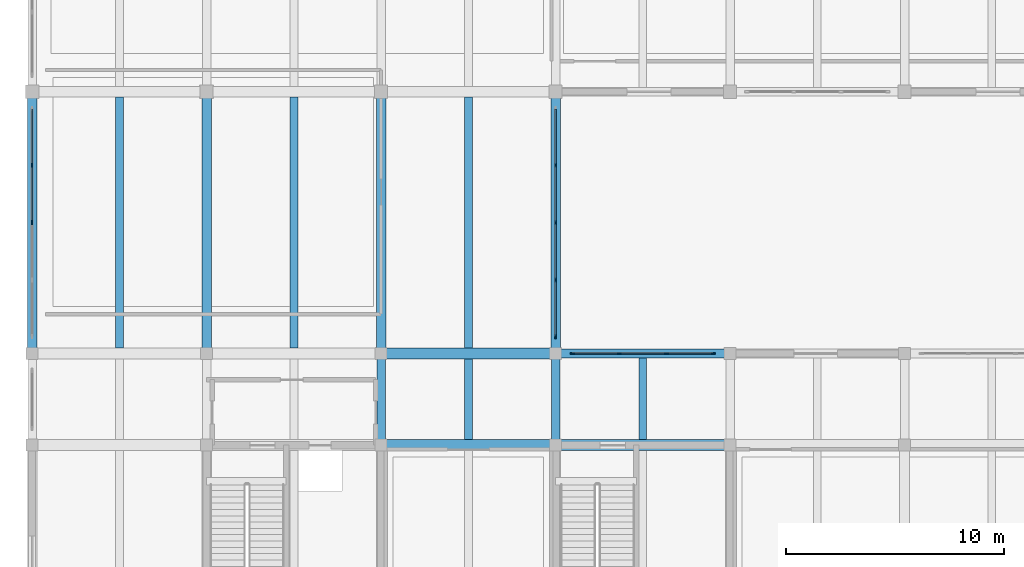
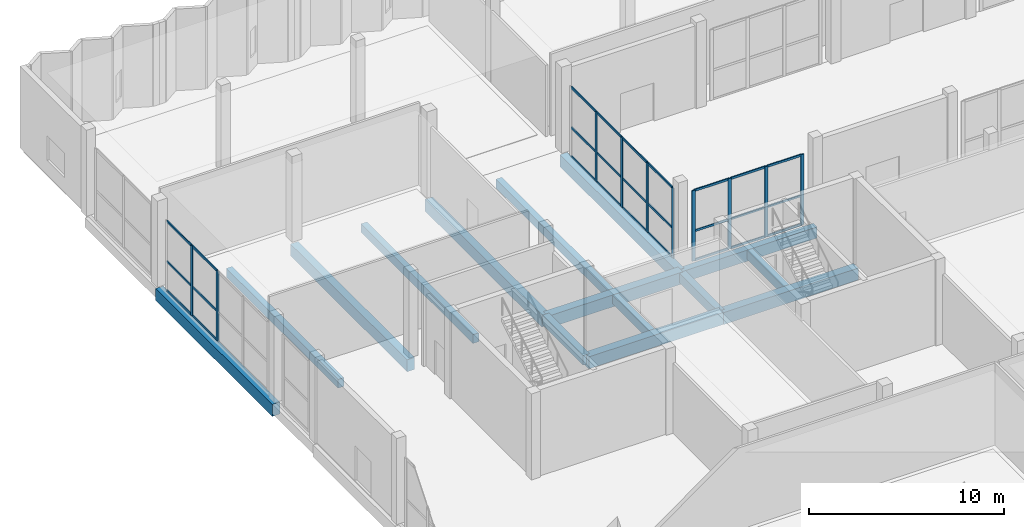
# One storey, part 10 of 41: 37 members, 15 beams, 3 elements without a shape of their own.
"""IFC4 building model written with IfcOpenShell, lengths in metres."""

from ifc_helpers import new_model, si_unit, direction, frame, origin, origin_2d, place, context, subcontext, project, spatial, rectangle, extrude, material, material_profile, profile_set, type_object, element, aggregate, save


model = new_model("IFC4")

# Units and contexts
model_context = context("Model", 3, precision=1e-05, world=origin(), true_north=direction((0.0, 1.0)))
body_context = subcontext(model_context, "Body", "Model", "MODEL_VIEW")
ifc_project = project(units=[si_unit("LENGTHUNIT", "METRE"), si_unit("AREAUNIT", "SQUARE_METRE"), si_unit("VOLUMEUNIT", "CUBIC_METRE"), si_unit("PLANEANGLEUNIT", "RADIAN"), si_unit("MASSUNIT", "GRAM", prefix="KILO")], contexts=[model_context])

# Site, building, storey
site_placement = place(None, origin())
site = spatial("IfcSite", under=ifc_project, at=site_placement, CompositionType="ELEMENT")
building_placement = place(site_placement, origin())
building = spatial("IfcBuilding", under=site, at=building_placement, Name="Vharandega Faculty of Natural Sciences", CompositionType="ELEMENT")
storey_placement = place(building_placement, origin())
storey = spatial("IfcBuildingStorey", under=building, at=storey_placement, Name="L00", CompositionType="ELEMENT", Elevation=0.0)

# Curtain wall, members
ifc_material_1 = material(Name="Aluminium and solar-control glass curtain wall", Category="aluminium")
curtain_wall_type_1 = type_object("IfcCurtainWallType", Name="Unitised Curtain Wall System CW-08", PredefinedType="NOTDEFINED", material=ifc_material_1)
curtain_wall_1_placement = place(storey_placement, origin())
curtain_wall_1 = element("IfcCurtainWall", 1, at=curtain_wall_1_placement, inside=storey, type_object=curtain_wall_type_1, Name="Curtain Wall CW-L00-035", PredefinedType="NOTDEFINED")
ifc_material_2 = material(Name="Thermally broken aluminium 6063-T6", Category="aluminium")
ifc_material_profile_1 = material_profile(ifc_material_2, rectangle(XDim=0.070068359375, YDim=0.199951171875, at=origin_2d()), Name="ALU 70x200")
ifc_profile_set_1 = profile_set([ifc_material_profile_1], Name="Thermally broken aluminium 6063-T6")
member_type_1 = type_object("IfcMemberType", Name="CW Mullion 70x200", PredefinedType="MULLION", material=ifc_profile_set_1)
member_1_placement = place(storey_placement, frame((0.0, 91.0, 0.0), z_axis=(0.0, 0.0, 1.0), x_axis=(-1.0, 0.0, 0.0)))
member_1 = element("IfcMember", 2, at=member_1_placement, type_object=member_type_1, Name="CW-08 mullion 3", PredefinedType="MULLION", context=body_context, shape_type="SweptSolid", body=[
    extrude(rectangle(XDim=0.070068359375, YDim=0.199951171875, at=origin_2d()), origin(), (0.0, 0.0, 1.0), 4.389892578125),
])
member_2_placement = place(storey_placement, frame((0.0, 93.6298828125, 0.0), z_axis=(0.0, 0.0, 1.0), x_axis=(-1.0, 0.0, 0.0)))
member_2 = element("IfcMember", 3, at=member_2_placement, type_object=member_type_1, Name="CW-08 mullion 4", PredefinedType="MULLION", context=body_context, shape_type="SweptSolid", body=[
    extrude(rectangle(XDim=0.070068359375, YDim=0.199951171875, at=origin_2d()), origin(), (0.0, 0.0, 1.0), 4.389892578125),
])

ifc_material_3 = material(Name="Aluminium and solar-control glass curtain wall", Category="aluminium")
curtain_wall_type_2 = type_object("IfcCurtainWallType", Name="Unitised Curtain Wall System CW-13", PredefinedType="NOTDEFINED", material=ifc_material_3)
curtain_wall_2_placement = place(storey_placement, origin())
curtain_wall_2 = element("IfcCurtainWall", 4, at=curtain_wall_2_placement, inside=storey, type_object=curtain_wall_type_2, Name="Curtain Wall CW-L00-040", PredefinedType="NOTDEFINED")
member_3_placement = place(storey_placement, frame((24.0, 85.77490234375, 0.0), z_axis=(0.0, 0.0, 1.0), x_axis=(-1.0, 0.0, 0.0)))
member_3 = element("IfcMember", 5, at=member_3_placement, type_object=member_type_1, Name="CW-13 mullion 1", PredefinedType="MULLION", context=body_context, shape_type="SweptSolid", body=[
    extrude(rectangle(XDim=0.070068359375, YDim=0.199951171875, at=origin_2d()), origin(), (0.0, 0.0, 1.0), 4.389892578125),
])
member_4_placement = place(storey_placement, frame((24.0, 88.3701171875, 0.0), z_axis=(0.0, 0.0, 1.0), x_axis=(-1.0, 0.0, 0.0)))
member_4 = element("IfcMember", 6, at=member_4_placement, type_object=member_type_1, Name="CW-13 mullion 2", PredefinedType="MULLION", context=body_context, shape_type="SweptSolid", body=[
    extrude(rectangle(XDim=0.070068359375, YDim=0.199951171875, at=origin_2d()), origin(), (0.0, 0.0, 1.0), 4.389892578125),
])
member_5_placement = place(storey_placement, frame((24.0, 91.0, 0.0), z_axis=(0.0, 0.0, 1.0), x_axis=(-1.0, 0.0, 0.0)))
member_5 = element("IfcMember", 7, at=member_5_placement, type_object=member_type_1, Name="CW-13 mullion 3", PredefinedType="MULLION", context=body_context, shape_type="SweptSolid", body=[
    extrude(rectangle(XDim=0.070068359375, YDim=0.199951171875, at=origin_2d()), origin(), (0.0, 0.0, 1.0), 4.389892578125),
])
member_6_placement = place(storey_placement, frame((24.0, 93.6298828125, 0.0), z_axis=(0.0, 0.0, 1.0), x_axis=(-1.0, 0.0, 0.0)))
member_6 = element("IfcMember", 8, at=member_6_placement, type_object=member_type_1, Name="CW-13 mullion 4", PredefinedType="MULLION", context=body_context, shape_type="SweptSolid", body=[
    extrude(rectangle(XDim=0.070068359375, YDim=0.199951171875, at=origin_2d()), origin(), (0.0, 0.0, 1.0), 4.389892578125),
])

ifc_material_4 = material(Name="Aluminium and solar-control glass curtain wall", Category="aluminium")
curtain_wall_type_3 = type_object("IfcCurtainWallType", Name="Unitised Curtain Wall System CW-20", PredefinedType="NOTDEFINED", material=ifc_material_4)
curtain_wall_3_placement = place(storey_placement, origin())
curtain_wall_3 = element("IfcCurtainWall", 9, at=curtain_wall_3_placement, inside=storey, type_object=curtain_wall_type_3, Name="Curtain Wall CW-L00-075", PredefinedType="NOTDEFINED")
member_7_placement = place(storey_placement, frame((24.77490234375, 85.0, 0.0), z_axis=(0.0, 0.0, 1.0), x_axis=(0.0, 1.0, 0.0)))
member_7 = element("IfcMember", 10, at=member_7_placement, type_object=member_type_1, Name="CW-20 mullion 1", PredefinedType="MULLION", context=body_context, shape_type="SweptSolid", body=[
    extrude(rectangle(XDim=0.070068359375, YDim=0.199951171875, at=origin_2d()), origin(), (0.0, 0.0, 1.0), 4.419921875),
])
member_8_placement = place(storey_placement, frame((26.913330078125, 85.0, 0.0), z_axis=(0.0, 0.0, 1.0), x_axis=(0.0, 1.0, 0.0)))
member_8 = element("IfcMember", 11, at=member_8_placement, type_object=member_type_1, Name="CW-20 mullion 2", PredefinedType="MULLION", context=body_context, shape_type="SweptSolid", body=[
    extrude(rectangle(XDim=0.070068359375, YDim=0.199951171875, at=origin_2d()), origin(), (0.0, 0.0, 1.0), 4.419921875),
])
member_9_placement = place(storey_placement, frame((29.086669921875, 85.0, 0.0), z_axis=(0.0, 0.0, 1.0), x_axis=(0.0, 1.0, 0.0)))
member_9 = element("IfcMember", 12, at=member_9_placement, type_object=member_type_1, Name="CW-20 mullion 3", PredefinedType="MULLION", context=body_context, shape_type="SweptSolid", body=[
    extrude(rectangle(XDim=0.070068359375, YDim=0.199951171875, at=origin_2d()), origin(), (0.0, 0.0, 1.0), 4.419921875),
])
member_10_placement = place(storey_placement, frame((31.22509765625, 85.0, 0.0), z_axis=(0.0, 0.0, 1.0), x_axis=(0.0, 1.0, 0.0)))
member_10 = element("IfcMember", 13, at=member_10_placement, type_object=member_type_1, Name="CW-20 mullion 4", PredefinedType="MULLION", context=body_context, shape_type="SweptSolid", body=[
    extrude(rectangle(XDim=0.070068359375, YDim=0.199951171875, at=origin_2d()), origin(), (0.0, 0.0, 1.0), 4.419921875),
])

# Member
ifc_material_5 = material(Name="Thermally broken aluminium 6063-T6", Category="aluminium")
ifc_material_profile_2 = material_profile(ifc_material_5, rectangle(XDim=0.06494140625, YDim=0.135009765625, at=origin_2d()), Name="ALU 65x135")
ifc_profile_set_2 = profile_set([ifc_material_profile_2], Name="Thermally broken aluminium 6063-T6")
member_type_2 = type_object("IfcMemberType", Name="CW Transom 65x135", PredefinedType="USERDEFINED", material=ifc_profile_set_2)
member_11_placement = place(storey_placement, frame((0.0, 91.034912109375, 0.032470703125), z_axis=(0.0, 1.0, 0.0), x_axis=(-1.0, 0.0, 0.0)))
member_11 = element("IfcMember", 14, at=member_11_placement, type_object=member_type_2, Name="CW-08 transom 3.1", ObjectType="TRANSOM", PredefinedType="USERDEFINED", context=body_context, shape_type="SweptSolid", body=[
    extrude(rectangle(XDim=0.06494140625, YDim=0.135009765625, at=origin_2d()), origin(), (0.0, 0.0, 1.0), 2.56005859375),
])

member_12_placement = place(storey_placement, frame((0.0, 91.034912109375, 1.84375), z_axis=(0.0, 1.0, 0.0), x_axis=(-1.0, 0.0, 0.0)))
member_12 = element("IfcMember", 15, at=member_12_placement, type_object=member_type_2, Name="CW-08 transom 3.2", ObjectType="TRANSOM", PredefinedType="USERDEFINED", context=body_context, shape_type="SweptSolid", body=[
    extrude(rectangle(XDim=0.06494140625, YDim=0.135009765625, at=origin_2d()), origin(), (0.0, 0.0, 1.0), 2.56005859375),
])

member_13_placement = place(storey_placement, frame((0.0, 91.034912109375, 4.357421875), z_axis=(0.0, 1.0, 0.0), x_axis=(-1.0, 0.0, 0.0)))
member_13 = element("IfcMember", 16, at=member_13_placement, type_object=member_type_2, Name="CW-08 transom 3.3", ObjectType="TRANSOM", PredefinedType="USERDEFINED", context=body_context, shape_type="SweptSolid", body=[
    extrude(rectangle(XDim=0.06494140625, YDim=0.135009765625, at=origin_2d()), origin(), (0.0, 0.0, 1.0), 2.56005859375),
])

member_14_placement = place(storey_placement, frame((0.0, 93.6650390625, 0.032470703125), z_axis=(0.0, 1.0, 0.0), x_axis=(-1.0, 0.0, 0.0)))
member_14 = element("IfcMember", 17, at=member_14_placement, type_object=member_type_2, Name="CW-08 transom 4.1", ObjectType="TRANSOM", PredefinedType="USERDEFINED", context=body_context, shape_type="SweptSolid", body=[
    extrude(rectangle(XDim=0.06494140625, YDim=0.135009765625, at=origin_2d()), origin(), (0.0, 0.0, 1.0), 2.52490234375),
])

member_15_placement = place(storey_placement, frame((0.0, 93.6650390625, 1.84375), z_axis=(0.0, 1.0, 0.0), x_axis=(-1.0, 0.0, 0.0)))
member_15 = element("IfcMember", 18, at=member_15_placement, type_object=member_type_2, Name="CW-08 transom 4.2", ObjectType="TRANSOM", PredefinedType="USERDEFINED", context=body_context, shape_type="SweptSolid", body=[
    extrude(rectangle(XDim=0.06494140625, YDim=0.135009765625, at=origin_2d()), origin(), (0.0, 0.0, 1.0), 2.52490234375),
])

member_16_placement = place(storey_placement, frame((0.0, 93.6650390625, 4.357421875), z_axis=(0.0, 1.0, 0.0), x_axis=(-1.0, 0.0, 0.0)))
member_16 = element("IfcMember", 19, at=member_16_placement, type_object=member_type_2, Name="CW-08 transom 4.3", ObjectType="TRANSOM", PredefinedType="USERDEFINED", context=body_context, shape_type="SweptSolid", body=[
    extrude(rectangle(XDim=0.06494140625, YDim=0.135009765625, at=origin_2d()), origin(), (0.0, 0.0, 1.0), 2.52490234375),
])

aggregate(curtain_wall_1, [member_1, member_2, member_11, member_12, member_13, member_14, member_15, member_16])

member_17_placement = place(storey_placement, frame((24.0, 85.81005859375, 0.032470703125), z_axis=(0.0, 1.0, 0.0), x_axis=(-1.0, 0.0, 0.0)))
member_17 = element("IfcMember", 20, at=member_17_placement, type_object=member_type_2, Name="CW-13 transom 1.1", ObjectType="TRANSOM", PredefinedType="USERDEFINED", context=body_context, shape_type="SweptSolid", body=[
    extrude(rectangle(XDim=0.06494140625, YDim=0.135009765625, at=origin_2d()), origin(), (0.0, 0.0, 1.0), 2.52490234375),
])

member_18_placement = place(storey_placement, frame((24.0, 85.81005859375, 1.84375), z_axis=(0.0, 1.0, 0.0), x_axis=(-1.0, 0.0, 0.0)))
member_18 = element("IfcMember", 21, at=member_18_placement, type_object=member_type_2, Name="CW-13 transom 1.2", ObjectType="TRANSOM", PredefinedType="USERDEFINED", context=body_context, shape_type="SweptSolid", body=[
    extrude(rectangle(XDim=0.06494140625, YDim=0.135009765625, at=origin_2d()), origin(), (0.0, 0.0, 1.0), 2.52490234375),
])

member_19_placement = place(storey_placement, frame((24.0, 85.81005859375, 4.357421875), z_axis=(0.0, 1.0, 0.0), x_axis=(-1.0, 0.0, 0.0)))
member_19 = element("IfcMember", 22, at=member_19_placement, type_object=member_type_2, Name="CW-13 transom 1.3", ObjectType="TRANSOM", PredefinedType="USERDEFINED", context=body_context, shape_type="SweptSolid", body=[
    extrude(rectangle(XDim=0.06494140625, YDim=0.135009765625, at=origin_2d()), origin(), (0.0, 0.0, 1.0), 2.52490234375),
])

member_20_placement = place(storey_placement, frame((24.0, 88.405029296875, 0.032470703125), z_axis=(0.0, 1.0, 0.0), x_axis=(-1.0, 0.0, 0.0)))
member_20 = element("IfcMember", 23, at=member_20_placement, type_object=member_type_2, Name="CW-13 transom 2.1", ObjectType="TRANSOM", PredefinedType="USERDEFINED", context=body_context, shape_type="SweptSolid", body=[
    extrude(rectangle(XDim=0.06494140625, YDim=0.135009765625, at=origin_2d()), origin(), (0.0, 0.0, 1.0), 2.56005859375),
])

member_21_placement = place(storey_placement, frame((24.0, 88.405029296875, 1.84375), z_axis=(0.0, 1.0, 0.0), x_axis=(-1.0, 0.0, 0.0)))
member_21 = element("IfcMember", 24, at=member_21_placement, type_object=member_type_2, Name="CW-13 transom 2.2", ObjectType="TRANSOM", PredefinedType="USERDEFINED", context=body_context, shape_type="SweptSolid", body=[
    extrude(rectangle(XDim=0.06494140625, YDim=0.135009765625, at=origin_2d()), origin(), (0.0, 0.0, 1.0), 2.56005859375),
])

member_22_placement = place(storey_placement, frame((24.0, 88.405029296875, 4.357421875), z_axis=(0.0, 1.0, 0.0), x_axis=(-1.0, 0.0, 0.0)))
member_22 = element("IfcMember", 25, at=member_22_placement, type_object=member_type_2, Name="CW-13 transom 2.3", ObjectType="TRANSOM", PredefinedType="USERDEFINED", context=body_context, shape_type="SweptSolid", body=[
    extrude(rectangle(XDim=0.06494140625, YDim=0.135009765625, at=origin_2d()), origin(), (0.0, 0.0, 1.0), 2.56005859375),
])

member_23_placement = place(storey_placement, frame((24.0, 91.034912109375, 0.032470703125), z_axis=(0.0, 1.0, 0.0), x_axis=(-1.0, 0.0, 0.0)))
member_23 = element("IfcMember", 26, at=member_23_placement, type_object=member_type_2, Name="CW-13 transom 3.1", ObjectType="TRANSOM", PredefinedType="USERDEFINED", context=body_context, shape_type="SweptSolid", body=[
    extrude(rectangle(XDim=0.06494140625, YDim=0.135009765625, at=origin_2d()), origin(), (0.0, 0.0, 1.0), 2.56005859375),
])

member_24_placement = place(storey_placement, frame((24.0, 91.034912109375, 1.84375), z_axis=(0.0, 1.0, 0.0), x_axis=(-1.0, 0.0, 0.0)))
member_24 = element("IfcMember", 27, at=member_24_placement, type_object=member_type_2, Name="CW-13 transom 3.2", ObjectType="TRANSOM", PredefinedType="USERDEFINED", context=body_context, shape_type="SweptSolid", body=[
    extrude(rectangle(XDim=0.06494140625, YDim=0.135009765625, at=origin_2d()), origin(), (0.0, 0.0, 1.0), 2.56005859375),
])

member_25_placement = place(storey_placement, frame((24.0, 91.034912109375, 4.357421875), z_axis=(0.0, 1.0, 0.0), x_axis=(-1.0, 0.0, 0.0)))
member_25 = element("IfcMember", 28, at=member_25_placement, type_object=member_type_2, Name="CW-13 transom 3.3", ObjectType="TRANSOM", PredefinedType="USERDEFINED", context=body_context, shape_type="SweptSolid", body=[
    extrude(rectangle(XDim=0.06494140625, YDim=0.135009765625, at=origin_2d()), origin(), (0.0, 0.0, 1.0), 2.56005859375),
])

member_26_placement = place(storey_placement, frame((24.0, 93.6650390625, 0.032470703125), z_axis=(0.0, 1.0, 0.0), x_axis=(-1.0, 0.0, 0.0)))
member_26 = element("IfcMember", 29, at=member_26_placement, type_object=member_type_2, Name="CW-13 transom 4.1", ObjectType="TRANSOM", PredefinedType="USERDEFINED", context=body_context, shape_type="SweptSolid", body=[
    extrude(rectangle(XDim=0.06494140625, YDim=0.135009765625, at=origin_2d()), origin(), (0.0, 0.0, 1.0), 2.52490234375),
])

member_27_placement = place(storey_placement, frame((24.0, 93.6650390625, 1.84375), z_axis=(0.0, 1.0, 0.0), x_axis=(-1.0, 0.0, 0.0)))
member_27 = element("IfcMember", 30, at=member_27_placement, type_object=member_type_2, Name="CW-13 transom 4.2", ObjectType="TRANSOM", PredefinedType="USERDEFINED", context=body_context, shape_type="SweptSolid", body=[
    extrude(rectangle(XDim=0.06494140625, YDim=0.135009765625, at=origin_2d()), origin(), (0.0, 0.0, 1.0), 2.52490234375),
])

member_28_placement = place(storey_placement, frame((24.0, 93.6650390625, 4.357421875), z_axis=(0.0, 1.0, 0.0), x_axis=(-1.0, 0.0, 0.0)))
member_28 = element("IfcMember", 31, at=member_28_placement, type_object=member_type_2, Name="CW-13 transom 4.3", ObjectType="TRANSOM", PredefinedType="USERDEFINED", context=body_context, shape_type="SweptSolid", body=[
    extrude(rectangle(XDim=0.06494140625, YDim=0.135009765625, at=origin_2d()), origin(), (0.0, 0.0, 1.0), 2.52490234375),
])

aggregate(curtain_wall_2, [member_3, member_4, member_5, member_6, member_17, member_18, member_19, member_20, member_21, member_22, member_23, member_24, member_25, member_26, member_27, member_28])

member_29_placement = place(storey_placement, frame((24.81005859375, 85.0, 0.032470703125), z_axis=(1.0, 0.0, 0.0), x_axis=(0.0, 1.0, 0.0)))
member_29 = element("IfcMember", 32, at=member_29_placement, type_object=member_type_2, Name="CW-20 transom 1.1", ObjectType="TRANSOM", PredefinedType="USERDEFINED", context=body_context, shape_type="SweptSolid", body=[
    extrude(rectangle(XDim=0.06494140625, YDim=0.135009765625, at=origin_2d()), origin(), (0.0, 0.0, 1.0), 2.068359375),
])

member_30_placement = place(storey_placement, frame((24.81005859375, 85.0, 1.8564453125), z_axis=(1.0, 0.0, 0.0), x_axis=(0.0, 1.0, 0.0)))
member_30 = element("IfcMember", 33, at=member_30_placement, type_object=member_type_2, Name="CW-20 transom 1.2", ObjectType="TRANSOM", PredefinedType="USERDEFINED", context=body_context, shape_type="SweptSolid", body=[
    extrude(rectangle(XDim=0.06494140625, YDim=0.135009765625, at=origin_2d()), origin(), (0.0, 0.0, 1.0), 2.068359375),
])

member_31_placement = place(storey_placement, frame((24.81005859375, 85.0, 4.387451171875), z_axis=(1.0, 0.0, 0.0), x_axis=(0.0, 1.0, 0.0)))
member_31 = element("IfcMember", 34, at=member_31_placement, type_object=member_type_2, Name="CW-20 transom 1.3", ObjectType="TRANSOM", PredefinedType="USERDEFINED", context=body_context, shape_type="SweptSolid", body=[
    extrude(rectangle(XDim=0.06494140625, YDim=0.135009765625, at=origin_2d()), origin(), (0.0, 0.0, 1.0), 2.068359375),
])

member_32_placement = place(storey_placement, frame((26.9482421875, 85.0, 0.032470703125), z_axis=(1.0, 0.0, 0.0), x_axis=(0.0, 1.0, 0.0)))
member_32 = element("IfcMember", 35, at=member_32_placement, type_object=member_type_2, Name="CW-20 transom 2.1", ObjectType="TRANSOM", PredefinedType="USERDEFINED", context=body_context, shape_type="SweptSolid", body=[
    extrude(rectangle(XDim=0.06494140625, YDim=0.135009765625, at=origin_2d()), origin(), (0.0, 0.0, 1.0), 2.103515625),
])

member_33_placement = place(storey_placement, frame((26.9482421875, 85.0, 1.8564453125), z_axis=(1.0, 0.0, 0.0), x_axis=(0.0, 1.0, 0.0)))
member_33 = element("IfcMember", 36, at=member_33_placement, type_object=member_type_2, Name="CW-20 transom 2.2", ObjectType="TRANSOM", PredefinedType="USERDEFINED", context=body_context, shape_type="SweptSolid", body=[
    extrude(rectangle(XDim=0.06494140625, YDim=0.135009765625, at=origin_2d()), origin(), (0.0, 0.0, 1.0), 2.103515625),
])

member_34_placement = place(storey_placement, frame((26.9482421875, 85.0, 4.387451171875), z_axis=(1.0, 0.0, 0.0), x_axis=(0.0, 1.0, 0.0)))
member_34 = element("IfcMember", 37, at=member_34_placement, type_object=member_type_2, Name="CW-20 transom 2.3", ObjectType="TRANSOM", PredefinedType="USERDEFINED", context=body_context, shape_type="SweptSolid", body=[
    extrude(rectangle(XDim=0.06494140625, YDim=0.135009765625, at=origin_2d()), origin(), (0.0, 0.0, 1.0), 2.103515625),
])

member_35_placement = place(storey_placement, frame((29.12158203125, 85.0, 0.032470703125), z_axis=(1.0, 0.0, 0.0), x_axis=(0.0, 1.0, 0.0)))
member_35 = element("IfcMember", 38, at=member_35_placement, type_object=member_type_2, Name="CW-20 transom 3.1", ObjectType="TRANSOM", PredefinedType="USERDEFINED", context=body_context, shape_type="SweptSolid", body=[
    extrude(rectangle(XDim=0.06494140625, YDim=0.135009765625, at=origin_2d()), origin(), (0.0, 0.0, 1.0), 2.068359375),
])

member_36_placement = place(storey_placement, frame((29.12158203125, 85.0, 1.8564453125), z_axis=(1.0, 0.0, 0.0), x_axis=(0.0, 1.0, 0.0)))
member_36 = element("IfcMember", 39, at=member_36_placement, type_object=member_type_2, Name="CW-20 transom 3.2", ObjectType="TRANSOM", PredefinedType="USERDEFINED", context=body_context, shape_type="SweptSolid", body=[
    extrude(rectangle(XDim=0.06494140625, YDim=0.135009765625, at=origin_2d()), origin(), (0.0, 0.0, 1.0), 2.068359375),
])

member_37_placement = place(storey_placement, frame((29.12158203125, 85.0, 4.387451171875), z_axis=(1.0, 0.0, 0.0), x_axis=(0.0, 1.0, 0.0)))
member_37 = element("IfcMember", 40, at=member_37_placement, type_object=member_type_2, Name="CW-20 transom 3.3", ObjectType="TRANSOM", PredefinedType="USERDEFINED", context=body_context, shape_type="SweptSolid", body=[
    extrude(rectangle(XDim=0.06494140625, YDim=0.135009765625, at=origin_2d()), origin(), (0.0, 0.0, 1.0), 2.068359375),
])

aggregate(curtain_wall_3, [member_7, member_8, member_9, member_10, member_29, member_30, member_31, member_32, member_33, member_34, member_35, member_36, member_37])

# Beams
ifc_material_6 = material(Name="Concrete C40/50", Category="concrete")
ifc_material_profile_3 = material_profile(ifc_material_6, rectangle(XDim=0.5, YDim=0.75, at=origin_2d()), Name="RC 500x750")
ifc_profile_set_3 = profile_set([ifc_material_profile_3], Name="Concrete C40/50")
beam_type_1 = type_object("IfcBeamType", Name="Podium Primary Beam 500x750", PredefinedType="BEAM", material=ifc_profile_set_3)
for number, where, z_axis, x_axis, name in (
    (41, (16.0, 80.800048828125, -0.655029296875), (1.0, 0.0, 0.0), (0.0, 1.0, 0.0), "Beam L00 L/3-4"),
    (42, (24.0, 80.800048828125, -0.675048828125), (1.0, 0.0, 0.0), (0.0, 1.0, 0.0), "Beam L00 L/4-5"),
    (43, (16.0, 85.0, -0.655029296875), (1.0, 0.0, 0.0), (0.0, 1.0, 0.0), "Beam L00 M/3-4"),
):
    element("IfcBeam", number, at=place(storey_placement, frame(where, z_axis=z_axis, x_axis=x_axis)), inside=storey, type_object=beam_type_1, Name=name, PredefinedType="BEAM", context=body_context, shape_type="SweptSolid", body=[
        extrude(rectangle(XDim=0.5, YDim=0.75, at=origin_2d()), origin(), (0.0, 0.0, 1.0), 8.0),
    ])
ifc_material_7 = material(Name="Concrete C40/50", Category="concrete")
ifc_material_profile_4 = material_profile(ifc_material_7, rectangle(XDim=0.39990234375, YDim=0.60009765625, at=origin_2d()), Name="RC 400x600")
ifc_profile_set_4 = profile_set([ifc_material_profile_4], Name="Concrete C40/50")
beam_type_2 = type_object("IfcBeamType", Name="Podium Rib Beam 400x600", PredefinedType="BEAM", material=ifc_profile_set_4)
for number, where, z_axis, x_axis, name in (
    (44, (16.0, 80.800048828125, -0.580078125), (0.0, 1.0, 0.0), (-1.0, 0.0, 0.0), "Beam L00 3/L-M"),
    (45, (24.0, 80.800048828125, -0.60009765625), (0.0, 1.0, 0.0), (-1.0, 0.0, 0.0), "Beam L00 4/L-M"),
):
    element("IfcBeam", number, at=place(storey_placement, frame(where, z_axis=z_axis, x_axis=x_axis)), inside=storey, type_object=beam_type_2, Name=name, PredefinedType="BEAM", context=body_context, shape_type="SweptSolid", body=[
        extrude(rectangle(XDim=0.39990234375, YDim=0.60009765625, at=origin_2d()), origin(), (0.0, 0.0, 1.0), 4.199951171875),
    ])
ifc_material_8 = material(Name="Concrete C40/50", Category="concrete")
ifc_material_profile_5 = material_profile(ifc_material_8, rectangle(XDim=0.35009765625, YDim=0.550048828125, at=origin_2d()), Name="RC 350x550")
ifc_profile_set_5 = profile_set([ifc_material_profile_5], Name="Concrete C40/50")
beam_type_3 = type_object("IfcBeamType", Name="Podium Secondary Beam 350x550", PredefinedType="JOIST", material=ifc_profile_set_5)
for number, where, z_axis, x_axis, name in (
    (46, (4.0, 85.25, -0.554931640625), (0.0, 1.0, 0.0), (-1.0, 0.0, 0.0), "Secondary Joist L00 1-2/M-N"),
    (47, (12.0, 85.25, -0.554931640625), (0.0, 1.0, 0.0), (-1.0, 0.0, 0.0), "Secondary Joist L00 2-3/M-N"),
):
    element("IfcBeam", number, at=place(storey_placement, frame(where, z_axis=z_axis, x_axis=x_axis)), inside=storey, type_object=beam_type_3, Name=name, PredefinedType="JOIST", context=body_context, shape_type="SweptSolid", body=[
        extrude(rectangle(XDim=0.35009765625, YDim=0.550048828125, at=origin_2d()), origin(), (0.0, 0.0, 1.0), 11.5),
    ])
beam_1_placement = place(storey_placement, frame((20.0, 81.050048828125, -0.554931640625), z_axis=(0.0, 1.0, 0.0), x_axis=(-1.0, 0.0, 0.0)))
element("IfcBeam", 48, at=beam_1_placement, inside=storey, type_object=beam_type_3, Name="Secondary Joist L00 3-4/L-M", PredefinedType="JOIST", context=body_context, shape_type="SweptSolid", body=[
    extrude(rectangle(XDim=0.35009765625, YDim=0.550048828125, at=origin_2d()), origin(), (0.0, 0.0, 1.0), 3.699951171875),
])
beam_2_placement = place(storey_placement, frame((20.0, 85.25, -0.554931640625), z_axis=(0.0, 1.0, 0.0), x_axis=(-1.0, 0.0, 0.0)))
element("IfcBeam", 49, at=beam_2_placement, inside=storey, type_object=beam_type_3, Name="Secondary Joist L00 3-4/M-N", PredefinedType="JOIST", context=body_context, shape_type="SweptSolid", body=[
    extrude(rectangle(XDim=0.35009765625, YDim=0.550048828125, at=origin_2d()), origin(), (0.0, 0.0, 1.0), 11.5),
])
beam_3_placement = place(storey_placement, frame((28.0, 81.050048828125, -0.574951171875), z_axis=(0.0, 1.0, 0.0), x_axis=(-1.0, 0.0, 0.0)))
element("IfcBeam", 50, at=beam_3_placement, inside=storey, type_object=beam_type_3, Name="Secondary Joist L00 4-5/L-M", PredefinedType="JOIST", context=body_context, shape_type="SweptSolid", body=[
    extrude(rectangle(XDim=0.35009765625, YDim=0.550048828125, at=origin_2d()), origin(), (0.0, 0.0, 1.0), 3.75),
])
ifc_material_9 = material(Name="Concrete C40/50", Category="concrete")
ifc_material_profile_6 = material_profile(ifc_material_9, rectangle(XDim=0.39990234375, YDim=0.699951171875, at=origin_2d()), Name="RC 400x700")
ifc_profile_set_6 = profile_set([ifc_material_profile_6], Name="Concrete C40/50")
beam_type_4 = type_object("IfcBeamType", Name="Podium Spandrel Beam 400x700", PredefinedType="SPANDREL", material=ifc_profile_set_6)
beam_4_placement = place(storey_placement, frame((24.0, 85.0, -0.64990234375), z_axis=(1.0, 0.0, 0.0), x_axis=(0.0, 1.0, 0.0)))
element("IfcBeam", 51, at=beam_4_placement, inside=storey, type_object=beam_type_4, Name="Beam L00 M/4-5", PredefinedType="SPANDREL", context=body_context, shape_type="SweptSolid", body=[
    extrude(rectangle(XDim=0.39990234375, YDim=0.699951171875, at=origin_2d()), origin(), (0.0, 0.0, 1.0), 8.0),
])
ifc_material_10 = material(Name="Concrete C40/50", Category="concrete")
ifc_material_profile_7 = material_profile(ifc_material_10, rectangle(XDim=0.449951171875, YDim=0.75, at=origin_2d()), Name="RC 450x750")
ifc_profile_set_7 = profile_set([ifc_material_profile_7], Name="Concrete C40/50")
beam_type_5 = type_object("IfcBeamType", Name="Podium Spine Beam 450x750", PredefinedType="BEAM", material=ifc_profile_set_7)
for number, where, z_axis, x_axis, name in (
    (52, (0.0, 85.0, -0.655029296875), (0.0, 1.0, 0.0), (-1.0, 0.0, 0.0), "Beam L00 1/M-N"),
    (53, (8.0, 85.0, -0.655029296875), (0.0, 1.0, 0.0), (-1.0, 0.0, 0.0), "Beam L00 2/M-N"),
    (54, (16.0, 85.0, -0.655029296875), (0.0, 1.0, 0.0), (-1.0, 0.0, 0.0), "Beam L00 3/M-N"),
    (55, (24.0, 85.0, -0.655029296875), (0.0, 1.0, 0.0), (-1.0, 0.0, 0.0), "Beam L00 4/M-N"),
):
    element("IfcBeam", number, at=place(storey_placement, frame(where, z_axis=z_axis, x_axis=x_axis)), inside=storey, type_object=beam_type_5, Name=name, PredefinedType="BEAM", context=body_context, shape_type="SweptSolid", body=[
        extrude(rectangle(XDim=0.449951171875, YDim=0.75, at=origin_2d()), origin(), (0.0, 0.0, 1.0), 12.0),
    ])

save(model, "model.ifc")
